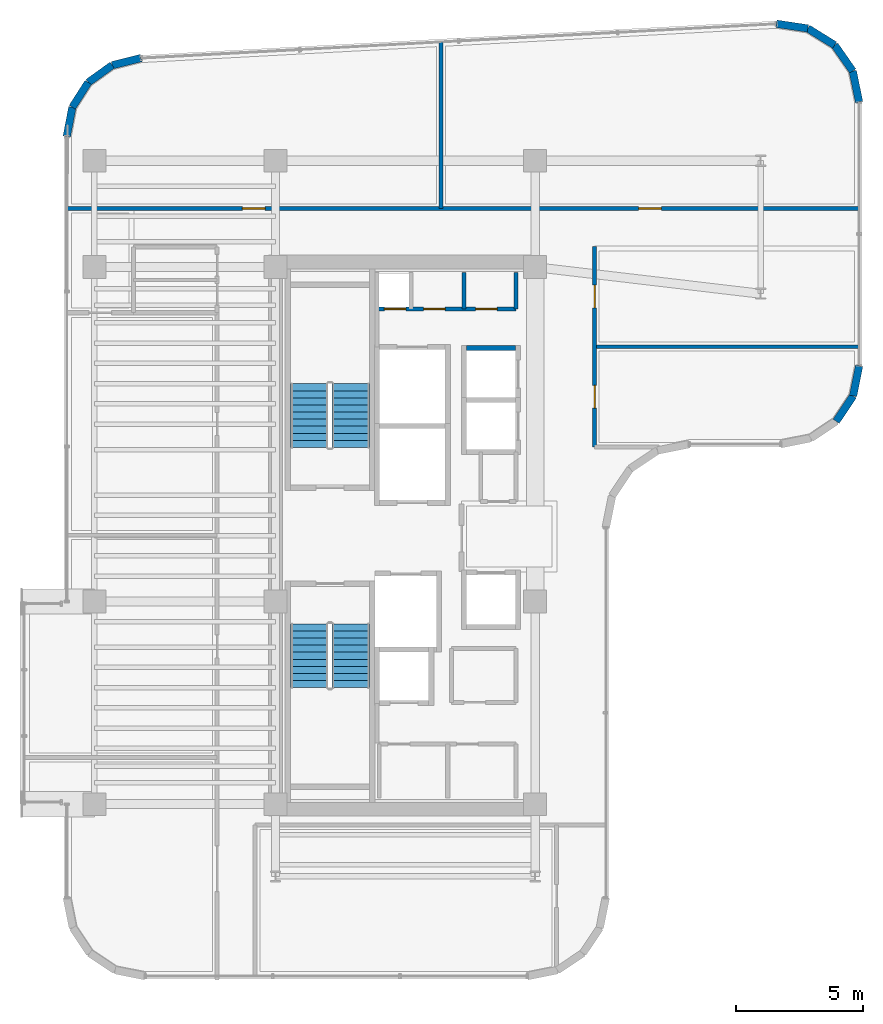
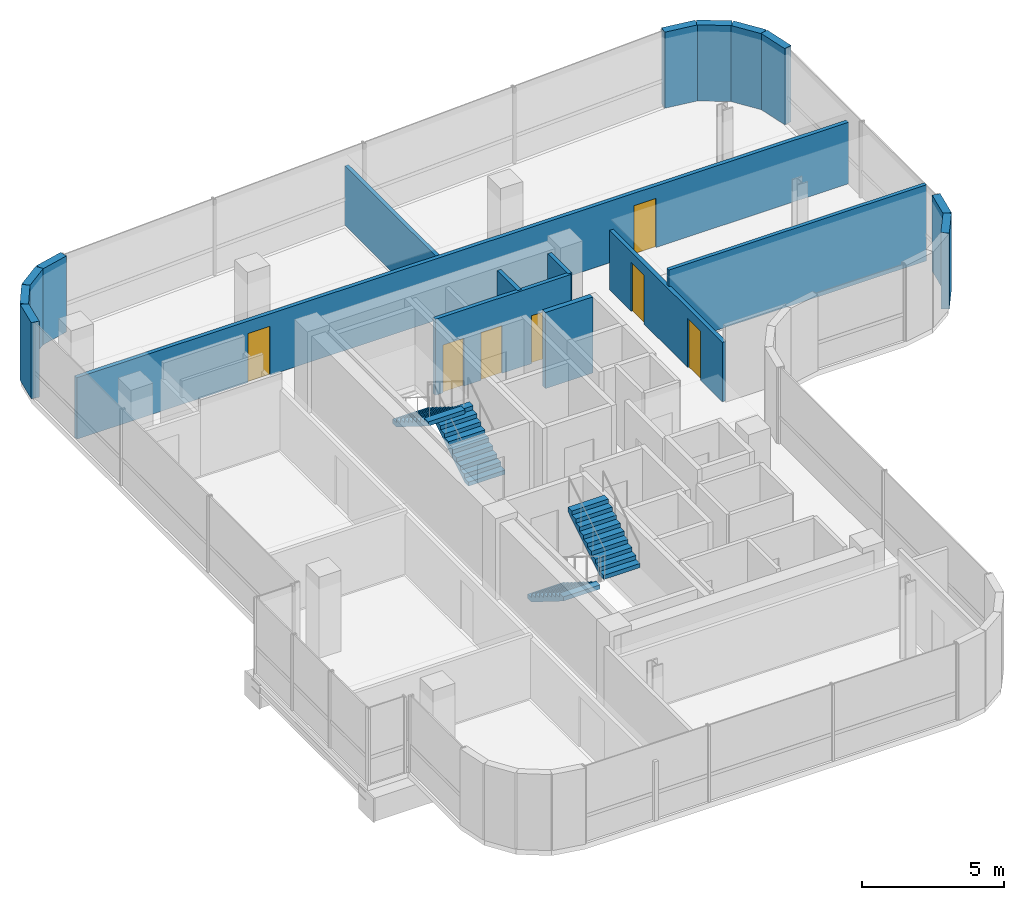
# One storey, part 20 of 22: 18 walls, 7 doors, 4 stair flights, 7 openings, 2 elements without a shape of their own.
"""IFC4 building model written with IfcOpenShell, lengths in metres."""

from ifc_helpers import new_model, si_unit, direction, frame, frame_2d, origin, place, context, subcontext, project, spatial, polyline, rectangle, outline, extrude, material, layer, layer_set, type_object, element, fill, aggregate, save


model = new_model("IFC4")

# Units and contexts
model_context = context("Model", 3, precision=1e-05, world=origin(), true_north=direction((0.0, 1.0)))
body_context = subcontext(model_context, "Body", "Model", "MODEL_VIEW")
ifc_project = project(units=[si_unit("LENGTHUNIT", "METRE"), si_unit("AREAUNIT", "SQUARE_METRE"), si_unit("VOLUMEUNIT", "CUBIC_METRE"), si_unit("PLANEANGLEUNIT", "RADIAN"), si_unit("MASSUNIT", "GRAM", prefix="KILO")], contexts=[model_context])

# Site, building, storey
site_placement = place(None, origin())
site = spatial("IfcSite", under=ifc_project, at=site_placement, CompositionType="ELEMENT")
building_placement = place(site_placement, origin())
building = spatial("IfcBuilding", under=site, at=building_placement, Name="Valdorenza Pilgrim Sanctuary Tower", CompositionType="ELEMENT")
storey_placement = place(building_placement, frame((0.0, 0.0, 237.0)))
storey = spatial("IfcBuildingStorey", under=building, at=storey_placement, Name="L61", CompositionType="ELEMENT", Elevation=237.0)

# Wall, openings, doors
ifc_material_1 = material(Name="Acoustic twin-stud gypsum partition", Category="gypsum")
ifc_layer_1 = layer(ifc_material_1, 0.159912109375, Name="Acoustic twin-stud gypsum partition")
ifc_layer_set_1 = layer_set([ifc_layer_1], Name="Acoustic twin-stud gypsum partition")
wall_type_1 = type_object("IfcWallType", Name="WAL-COR-160", PredefinedType="PARTITIONING", material=ifc_layer_set_1)
wall_1_placement = place(storey_placement, frame((-18.64990234375, 8.949951171875, 0.0), z_axis=(0.0, 0.0, 1.0), x_axis=(1.0, 0.0, 0.0)))
wall_1 = element("IfcWall", 1, at=wall_1_placement, inside=storey, type_object=wall_type_1, Name="L61 Core A North Service South Wall", PredefinedType="PARTITIONING", context=body_context, shape_type="SweptSolid", body=[
    extrude(rectangle(XDim=5.5, YDim=0.159912109375, at=frame_2d((2.75, 0.0))), origin(), (0.0, 0.0, 1.0), 3.260009765625),
])
opening_1_placement = place(wall_1_placement, frame((0.300048828125, 0.0, 0.0)))
opening_1 = element("IfcOpeningElement", 2, at=opening_1_placement, cuts=wall_1, Name="Opening DR-RS1", PredefinedType="OPENING", context=body_context, shape_type="SweptSolid", body=[
    extrude(rectangle(XDim=0.85009765625, YDim=2.050048828125, at=frame_2d((0.425048828125, 1.02490234375))), frame((0.0, 0.0947265625, 0.0), z_axis=(0.0, -1.0, 0.0), x_axis=(1.0, 0.0, 0.0)), (0.0, 0.0, 1.0), 0.189697265625),
])
opening_2_placement = place(wall_1_placement, frame((1.85009765625, 0.0, 0.0)))
opening_2 = element("IfcOpeningElement", 3, at=opening_2_placement, cuts=wall_1, Name="Opening DR-RS1", PredefinedType="OPENING", context=body_context, shape_type="SweptSolid", body=[
    extrude(rectangle(XDim=0.85009765625, YDim=2.050048828125, at=frame_2d((0.425048828125, 1.02490234375))), frame((0.0, 0.0947265625, 0.0), z_axis=(0.0, -1.0, 0.0), x_axis=(1.0, 0.0, 0.0)), (0.0, 0.0, 1.0), 0.189697265625),
])
opening_3_placement = place(wall_1_placement, frame((3.89990234375, 0.0, 0.0)))
opening_3 = element("IfcOpeningElement", 4, at=opening_3_placement, cuts=wall_1, Name="Opening DR-RS1", PredefinedType="OPENING", context=body_context, shape_type="SweptSolid", body=[
    extrude(rectangle(XDim=0.85009765625, YDim=2.050048828125, at=frame_2d((0.425048828125, 1.02490234375))), frame((0.0, 0.0947265625, 0.0), z_axis=(0.0, -1.0, 0.0), x_axis=(1.0, 0.0, 0.0)), (0.0, 0.0, 1.0), 0.189697265625),
])
ifc_material_2 = material(Name="Painted galvanized steel", Category="steel")
door_type_1 = type_object("IfcDoorType", Name="DR-RSR-850", OperationType="NOTDEFINED", PredefinedType="DOOR", material=ifc_material_2)
door_1_placement = place(opening_1_placement, origin())
door_1 = element("IfcDoor", 5, at=door_1_placement, inside=storey, type_object=door_type_1, Name="L61 Core Electrical and Telecom Riser Door", OperationType="SINGLE_SWING_LEFT", OverallHeight=2.050048828125, OverallWidth=0.85009765625, PredefinedType="DOOR", context=body_context, shape_type="SweptSolid", body=[
    extrude(rectangle(XDim=0.85009765625, YDim=2.050048828125, at=frame_2d((0.425048828125, 1.02490234375))), frame((0.0, 0.02490234375, 0.0), z_axis=(0.0, -1.0, 0.0), x_axis=(1.0, 0.0, 0.0)), (0.0, 0.0, 1.0), 0.050048828125),
])
fill(opening_1, door_1)
door_2_placement = place(opening_2_placement, origin())
door_2 = element("IfcDoor", 6, at=door_2_placement, inside=storey, type_object=door_type_1, Name="L61 Housekeeping and Clean Linen Room Door", OperationType="SINGLE_SWING_RIGHT", OverallHeight=2.050048828125, OverallWidth=0.85009765625, PredefinedType="DOOR", context=body_context, shape_type="SweptSolid", body=[
    extrude(rectangle(XDim=0.85009765625, YDim=2.050048828125, at=frame_2d((0.425048828125, 1.02490234375))), frame((0.0, 0.02490234375, 0.0), z_axis=(0.0, -1.0, 0.0), x_axis=(1.0, 0.0, 0.0)), (0.0, 0.0, 1.0), 0.050048828125),
])
fill(opening_2, door_2)
door_3_placement = place(opening_3_placement, origin())
door_3 = element("IfcDoor", 7, at=door_3_placement, inside=storey, type_object=door_type_1, Name="L61 Guest Ice and Vending Pantry Door", OperationType="SINGLE_SWING_LEFT", OverallHeight=2.050048828125, OverallWidth=0.85009765625, PredefinedType="DOOR", context=body_context, shape_type="SweptSolid", body=[
    extrude(rectangle(XDim=0.85009765625, YDim=2.050048828125, at=frame_2d((0.425048828125, 1.02490234375))), frame((0.0, 0.02490234375, 0.0), z_axis=(0.0, -1.0, 0.0), x_axis=(1.0, 0.0, 0.0)), (0.0, 0.0, 1.0), 0.050048828125),
])
fill(opening_3, door_3)

# Walls
for number, where, z_axis, x_axis, name in (
    (8, (-13.14990234375, 8.949951171875, 0.0), (0.0, 0.0, 1.0), (0.0, 1.0, 0.0), "L61 Core A North Service East Wall"),
    (9, (-15.199951171875, 8.949951171875, 0.0), (0.0, 0.0, 1.0), (0.0, 1.0, 0.0), "L61 Core A Housekeeping Split B"),
):
    element("IfcWall", number, at=place(storey_placement, frame(where, z_axis=z_axis, x_axis=x_axis)), inside=storey, type_object=wall_type_1, Name=name, PredefinedType="PARTITIONING", context=body_context, shape_type="SweptSolid", body=[
        extrude(rectangle(XDim=1.429931640625, YDim=0.159912109375, at=frame_2d((0.71484375, 0.0))), origin(), (0.0, 0.0, 1.0), 3.260009765625),
    ])

# Wall, openings, doors
wall_2_placement = place(storey_placement, frame((-30.889892578125, 12.919921875, 0.0), z_axis=(0.0, 0.0, 1.0), x_axis=(1.0, 0.0, 0.0)))
wall_2 = element("IfcWall", 10, at=wall_2_placement, inside=storey, type_object=wall_type_1, Name="L61 North Corridor Wall", PredefinedType="PARTITIONING", context=body_context, shape_type="SweptSolid", body=[
    extrude(rectangle(XDim=31.27978515625, YDim=0.159912109375, at=frame_2d((15.639892578125, 0.0))), origin(), (0.0, 0.0, 1.0), 2.634033203125),
])
opening_4_placement = place(wall_2_placement, frame((6.93505859375, 0.0, 0.0)))
opening_4 = element("IfcOpeningElement", 11, at=opening_4_placement, cuts=wall_2, Name="Opening DR-RM1", PredefinedType="OPENING", context=body_context, shape_type="SweptSolid", body=[
    extrude(rectangle(XDim=0.89990234375, YDim=2.10009765625, at=frame_2d((0.449951171875, 1.050048828125))), frame((0.0, 0.0947265625, 0.0), z_axis=(0.0, -1.0, 0.0), x_axis=(1.0, 0.0, 0.0)), (0.0, 0.0, 1.0), 0.189697265625),
])
opening_5_placement = place(wall_2_placement, frame((22.574951171875, 0.0, 0.0)))
opening_5 = element("IfcOpeningElement", 12, at=opening_5_placement, cuts=wall_2, Name="Opening DR-RM1", PredefinedType="OPENING", context=body_context, shape_type="SweptSolid", body=[
    extrude(rectangle(XDim=0.89990234375, YDim=2.10009765625, at=frame_2d((0.449951171875, 1.050048828125))), frame((0.0, 0.0947265625, 0.0), z_axis=(0.0, -1.0, 0.0), x_axis=(1.0, 0.0, 0.0)), (0.0, 0.0, 1.0), 0.189697265625),
])
ifc_material_3 = material(Name="Solid-core European oak timber", Category="wood")
door_type_2 = type_object("IfcDoorType", Name="DR-ROOM-900", OperationType="NOTDEFINED", PredefinedType="DOOR", material=ifc_material_3)
door_4_placement = place(opening_4_placement, frame((0.89990234375, 0.0, 0.0), z_axis=(0.0, 0.0, 1.0), x_axis=(-1.0, 0.0, 0.0)))
door_4 = element("IfcDoor", 13, at=door_4_placement, inside=storey, type_object=door_type_2, Name="L61 Private Banquet Dining Room L61-N1 Door", OperationType="SINGLE_SWING_LEFT", OverallHeight=2.10009765625, OverallWidth=0.89990234375, PredefinedType="DOOR", context=body_context, shape_type="SweptSolid", body=[
    extrude(rectangle(XDim=0.89990234375, YDim=2.10009765625, at=frame_2d((0.449951171875, 1.050048828125))), frame((0.0, 0.02490234375, 0.0), z_axis=(0.0, -1.0, 0.0), x_axis=(1.0, 0.0, 0.0)), (0.0, 0.0, 1.0), 0.050048828125),
])
fill(opening_4, door_4)
door_5_placement = place(opening_5_placement, origin())
door_5 = element("IfcDoor", 14, at=door_5_placement, inside=storey, type_object=door_type_2, Name="L61 Private Banquet Dining Room L61-N2 Door", OperationType="SINGLE_SWING_RIGHT", OverallHeight=2.10009765625, OverallWidth=0.89990234375, PredefinedType="DOOR", context=body_context, shape_type="SweptSolid", body=[
    extrude(rectangle(XDim=0.89990234375, YDim=2.10009765625, at=frame_2d((0.449951171875, 1.050048828125))), frame((0.0, 0.02490234375, 0.0), z_axis=(0.0, -1.0, 0.0), x_axis=(1.0, 0.0, 0.0)), (0.0, 0.0, 1.0), 0.050048828125),
])
fill(opening_5, door_5)

wall_3_placement = place(storey_placement, frame((-10.050048828125, 3.5, 0.0), z_axis=(0.0, 0.0, 1.0), x_axis=(0.0, 1.0, 0.0)))
wall_3 = element("IfcWall", 15, at=wall_3_placement, inside=storey, type_object=wall_type_1, Name="L61 East Stub Corridor Wall", PredefinedType="PARTITIONING", context=body_context, shape_type="SweptSolid", body=[
    extrude(rectangle(XDim=7.919921875, YDim=0.159912109375, at=frame_2d((3.9599609375, 0.0))), origin(), (0.0, 0.0, 1.0), 2.5439453125),
])
opening_6_placement = place(wall_3_placement, frame((1.530029296875, 0.0, 0.0)))
opening_6 = element("IfcOpeningElement", 16, at=opening_6_placement, cuts=wall_3, Name="Opening DR-RM1", PredefinedType="OPENING", context=body_context, shape_type="SweptSolid", body=[
    extrude(rectangle(XDim=0.89990234375, YDim=2.10009765625, at=frame_2d((0.449951171875, 1.050048828125))), frame((0.0, 0.0947265625, 0.0), z_axis=(0.0, -1.0, 0.0), x_axis=(1.0, 0.0, 0.0)), (0.0, 0.0, 1.0), 0.189697265625),
])
opening_7_placement = place(wall_3_placement, frame((5.489990234375, 0.0, 0.0)))
opening_7 = element("IfcOpeningElement", 17, at=opening_7_placement, cuts=wall_3, Name="Opening DR-RM1", PredefinedType="OPENING", context=body_context, shape_type="SweptSolid", body=[
    extrude(rectangle(XDim=0.89990234375, YDim=2.10009765625, at=frame_2d((0.449951171875, 1.050048828125))), frame((0.0, 0.0947265625, 0.0), z_axis=(0.0, -1.0, 0.0), x_axis=(1.0, 0.0, 0.0)), (0.0, 0.0, 1.0), 0.189697265625),
])
door_6_placement = place(opening_6_placement, frame((0.89990234375, 0.0, 0.0), z_axis=(0.0, 0.0, 1.0), x_axis=(-1.0, 0.0, 0.0)))
door_6 = element("IfcDoor", 18, at=door_6_placement, inside=storey, type_object=door_type_2, Name="L61 Sacred Art Exhibition Gallery L61-E1 Door", OperationType="SINGLE_SWING_LEFT", OverallHeight=2.10009765625, OverallWidth=0.89990234375, PredefinedType="DOOR", context=body_context, shape_type="SweptSolid", body=[
    extrude(rectangle(XDim=0.89990234375, YDim=2.10009765625, at=frame_2d((0.449951171875, 1.050048828125))), frame((0.0, 0.02490234375, 0.0), z_axis=(0.0, -1.0, 0.0), x_axis=(1.0, 0.0, 0.0)), (0.0, 0.0, 1.0), 0.050048828125),
])
fill(opening_6, door_6)
door_7_placement = place(opening_7_placement, origin())
door_7 = element("IfcDoor", 19, at=door_7_placement, inside=storey, type_object=door_type_2, Name="L61 Sacred Art Exhibition Gallery L61-E2 Door", OperationType="SINGLE_SWING_RIGHT", OverallHeight=2.10009765625, OverallWidth=0.89990234375, PredefinedType="DOOR", context=body_context, shape_type="SweptSolid", body=[
    extrude(rectangle(XDim=0.89990234375, YDim=2.10009765625, at=frame_2d((0.449951171875, 1.050048828125))), frame((0.0, 0.02490234375, 0.0), z_axis=(0.0, -1.0, 0.0), x_axis=(1.0, 0.0, 0.0)), (0.0, 0.0, 1.0), 0.050048828125),
])
fill(opening_7, door_7)

# Walls
ifc_material_4 = material(Name="Honed travertine limestone", Category="masonry")
ifc_layer_2 = layer(ifc_material_4, 0.300048828125, Name="Honed travertine limestone")
ifc_layer_set_2 = layer_set([ifc_layer_2], Name="Honed travertine limestone")
wall_type_2 = type_object("IfcWallType", Name="WAL-EXT-300", PredefinedType="SOLIDWALL", material=ifc_layer_set_2)
wall_4_placement = place(storey_placement, frame((-30.889892578125, 15.757568359375, 0.0), z_axis=(0.0, 0.0, 1.0), x_axis=(0.18831542659, 0.982108598938, 0.0)))
element("IfcWall", 20, at=wall_4_placement, inside=storey, type_object=wall_type_2, Name="L61 Rounded Wind-Corner Stone Pier 2", PredefinedType="SOLIDWALL", context=body_context, shape_type="SweptSolid", body=[
    extrude(rectangle(XDim=1.174560546875, YDim=0.300048828125, at=frame_2d((0.58740234375, 0.0))), origin(), (0.0, 0.0, 1.0), 3.260009765625),
])
wall_5_placement = place(storey_placement, frame((-30.668701171875, 16.9111328125, 0.0), z_axis=(0.0, 0.0, 1.0), x_axis=(0.538678781902, 0.84251122837, 0.0)))
element("IfcWall", 21, at=wall_5_placement, inside=storey, type_object=wall_type_2, Name="L61 Rounded Wind-Corner Stone Pier 3", PredefinedType="SOLIDWALL", context=body_context, shape_type="SweptSolid", body=[
    extrude(rectangle(XDim=1.164306640625, YDim=0.300048828125, at=frame_2d((0.58203125, 0.0))), origin(), (0.0, 0.0, 1.0), 3.260009765625),
])
wall_6_placement = place(storey_placement, frame((-30.04150390625, 17.89208984375, 0.0), z_axis=(0.0, 0.0, 1.0), x_axis=(0.812313539683, 0.583220981487, 0.0)))
element("IfcWall", 22, at=wall_6_placement, inside=storey, type_object=wall_type_2, Name="L61 Rounded Wind-Corner Stone Pier 4", PredefinedType="SOLIDWALL", context=body_context, shape_type="SweptSolid", body=[
    extrude(rectangle(XDim=1.163818359375, YDim=0.300048828125, at=frame_2d((0.58203125, 0.0))), origin(), (0.0, 0.0, 1.0), 3.260009765625),
])
wall_7_placement = place(storey_placement, frame((-29.09619140625, 18.57080078125, 0.0), z_axis=(0.0, 0.0, 1.0), x_axis=(0.97050812798, 0.241068400098, 0.0)))
element("IfcWall", 23, at=wall_7_placement, inside=storey, type_object=wall_type_2, Name="L61 Rounded Wind-Corner Stone Pier 5", PredefinedType="SOLIDWALL", context=body_context, shape_type="SweptSolid", body=[
    extrude(rectangle(XDim=1.1748046875, YDim=0.300048828125, at=frame_2d((0.58740234375, 0.0))), origin(), (0.0, 0.0, 1.0), 3.260009765625),
])
wall_8_placement = place(storey_placement, frame((-2.877685546875, 20.20751953125, 0.0), z_axis=(0.0, 0.0, 1.0), x_axis=(0.988902138571, -0.148568369208, 0.0)))
element("IfcWall", 24, at=wall_8_placement, inside=storey, type_object=wall_type_2, Name="L61 Rounded Wind-Corner Stone Pier 7", PredefinedType="SOLIDWALL", context=body_context, shape_type="SweptSolid", body=[
    extrude(rectangle(XDim=1.257080078125, YDim=0.300048828125, at=frame_2d((0.62841796875, 0.0))), origin(), (0.0, 0.0, 1.0), 3.260009765625),
])
wall_9_placement = place(storey_placement, frame((-1.634521484375, 20.020751953125, 0.0), z_axis=(0.0, 0.0, 1.0), x_axis=(0.849646224094, -0.52735310171, 0.0)))
element("IfcWall", 25, at=wall_9_placement, inside=storey, type_object=wall_type_2, Name="L61 Rounded Wind-Corner Stone Pier 8", PredefinedType="SOLIDWALL", context=body_context, shape_type="SweptSolid", body=[
    extrude(rectangle(XDim=1.245361328125, YDim=0.300048828125, at=frame_2d((0.62255859375, 0.0))), origin(), (0.0, 0.0, 1.0), 3.260009765625),
])
wall_10_placement = place(storey_placement, frame((-0.576416015625, 19.364013671875, 0.0), z_axis=(0.0, 0.0, 1.0), x_axis=(0.572304219931, -0.820041389107, 0.0)))
element("IfcWall", 26, at=wall_10_placement, inside=storey, type_object=wall_type_2, Name="L61 Rounded Wind-Corner Stone Pier 9", PredefinedType="SOLIDWALL", context=body_context, shape_type="SweptSolid", body=[
    extrude(rectangle(XDim=1.24560546875, YDim=0.300048828125, at=frame_2d((0.622802734375, 0.0))), origin(), (0.0, 0.0, 1.0), 3.260009765625),
])
wall_11_placement = place(storey_placement, frame((0.136474609375, 18.342529296875, 0.0), z_axis=(0.0, 0.0, 1.0), x_axis=(0.201603599025, -0.979467196419, 0.0)))
element("IfcWall", 27, at=wall_11_placement, inside=storey, type_object=wall_type_2, Name="L61 Rounded Wind-Corner Stone Pier 10", PredefinedType="SOLIDWALL", context=body_context, shape_type="SweptSolid", body=[
    extrude(rectangle(XDim=1.257080078125, YDim=0.300048828125, at=frame_2d((0.62841796875, 0.0))), origin(), (0.0, 0.0, 1.0), 3.260009765625),
])
wall_12_placement = place(storey_placement, frame((0.389892578125, 6.710693359375, 0.0), z_axis=(0.0, 0.0, 1.0), x_axis=(-0.194996050505, -0.980804027463, 0.0)))
element("IfcWall", 28, at=wall_12_placement, inside=storey, type_object=wall_type_2, Name="L61 Rounded Wind-Corner Stone Pier 12", PredefinedType="SOLIDWALL", context=body_context, shape_type="SweptSolid", body=[
    extrude(rectangle(XDim=1.2158203125, YDim=0.300048828125, at=frame_2d((0.60791015625, 0.0))), origin(), (0.0, 0.0, 1.0), 3.260009765625),
])
wall_13_placement = place(storey_placement, frame((0.15283203125, 5.518310546875, 0.0), z_axis=(0.0, 0.0, 1.0), x_axis=(-0.555635100982, -0.831426265255, 0.0)))
element("IfcWall", 29, at=wall_13_placement, inside=storey, type_object=wall_type_2, Name="L61 Rounded Wind-Corner Stone Pier 13", PredefinedType="SOLIDWALL", context=body_context, shape_type="SweptSolid", body=[
    extrude(rectangle(XDim=1.204833984375, YDim=0.300048828125, at=frame_2d((0.6025390625, 0.0))), origin(), (0.0, 0.0, 1.0), 3.260009765625),
])
ifc_material_5 = material(Name="Autoclaved aerated concrete blockwork", Category="masonry")
ifc_layer_3 = layer(ifc_material_5, 0.199951171875, Name="Autoclaved aerated concrete blockwork")
ifc_layer_set_3 = layer_set([ifc_layer_3], Name="Autoclaved aerated concrete blockwork")
wall_type_3 = type_object("IfcWallType", Name="WAL-SHF-200", PredefinedType="MOVABLE", material=ifc_layer_set_3)
wall_14_placement = place(storey_placement, frame((-15.10009765625, 7.39990234375, 0.0), z_axis=(0.0, 0.0, 1.0), x_axis=(1.0, 0.0, 0.0)))
element("IfcWall", 30, at=wall_14_placement, inside=storey, type_object=wall_type_3, Name="L61 Lift PL-10 Hoistway Wall North", PredefinedType="MOVABLE", context=body_context, shape_type="SweptSolid", body=[
    extrude(rectangle(XDim=1.920166015625, YDim=0.199951171875, at=frame_2d((0.9599609375, 0.0))), origin(), (0.0, 0.0, 1.0), 3.260009765625),
])
ifc_layer_4 = layer(ifc_material_1, 0.14990234375, Name="Acoustic twin-stud gypsum partition")
ifc_layer_set_4 = layer_set([ifc_layer_4], Name="Acoustic twin-stud gypsum partition")
wall_type_4 = type_object("IfcWallType", Name="WAL-UNT-150", PredefinedType="PARTITIONING", material=ifc_layer_set_4)
wall_15_placement = place(storey_placement, frame((-16.1201171875, 12.919921875, 0.0), z_axis=(0.0, 0.0, 1.0), x_axis=(0.0, 1.0, 0.0)))
element("IfcWall", 31, at=wall_15_placement, inside=storey, type_object=wall_type_4, Name="L61 Private Banquet Dining Room L61-N2 Demising Wall", PredefinedType="PARTITIONING", context=body_context, shape_type="SweptSolid", body=[
    extrude(rectangle(XDim=6.572998046875, YDim=0.14990234375, at=frame_2d((3.28662109375, 0.0))), origin(), (0.0, 0.0, 1.0), 2.5439453125),
])
wall_16_placement = place(storey_placement, frame((-10.050048828125, 7.4599609375, 0.0), z_axis=(0.0, 0.0, 1.0), x_axis=(1.0, 0.0, 0.0)))
element("IfcWall", 32, at=wall_16_placement, inside=storey, type_object=wall_type_4, Name="L61 Sacred Art Exhibition Gallery L61-E2 Demising Wall", PredefinedType="PARTITIONING", context=body_context, shape_type="SweptSolid", body=[
    extrude(rectangle(XDim=10.43994140625, YDim=0.14990234375, at=frame_2d((5.219970703125, 0.0))), origin(), (0.0, 0.0, 1.0), 3.260009765625),
])

# Stair, stair flights
ifc_material_6 = material(Name="Concrete C40/50", Category="concrete")
stair_type = type_object("IfcStairType", Name="STR-DOG-CORE", PredefinedType="HALF_TURN_STAIR", material=ifc_material_6)
stair_1_placement = place(storey_placement, origin())
stair_1 = element("IfcStair", 33, at=stair_1_placement, inside=storey, type_object=stair_type, Name="L61 ST-A1", PredefinedType="HALF_TURN_STAIR")
stair_flight_type = type_object("IfcStairFlightType", Name="STF-RC-1400", PredefinedType="STRAIGHT", material=ifc_material_6)
stair_flight_1_placement = place(storey_placement, frame((-19.679931640625, 3.47998046875, 0.0), z_axis=(0.0, 0.0, 1.0), x_axis=(0.0, 1.0, 0.0)))
stair_flight_1 = element("IfcStairFlight", 34, at=stair_flight_1_placement, type_object=stair_flight_type, Name="ST-A1 flight 1", NumberOfRisers=10, NumberOfTreads=9, PredefinedType="STRAIGHT", RiserHeight=0.175, TreadLength=0.28, context=body_context, shape_type="SweptSolid", body=[
    extrude(outline(polyline([(0.0, 0.0), (0.0, 0.175048828125), (0.280029296875, 0.175048828125), (0.280029296875, 0.35009765625), (0.56005859375, 0.35009765625), (0.56005859375, 0.52490234375), (0.840087890625, 0.52490234375), (0.840087890625, 0.699951171875), (1.1201171875, 0.699951171875), (1.1201171875, 0.875), (1.39990234375, 0.875), (1.39990234375, 1.050048828125), (1.679931640625, 1.050048828125), (1.679931640625, 1.22509765625), (1.9599609375, 1.22509765625), (1.9599609375, 1.39990234375), (2.239990234375, 1.39990234375), (2.239990234375, 1.574951171875), (2.52001953125, 1.574951171875), (2.52001953125, 1.75), (2.52001953125, 1.398193359375), (0.28271484375, 0.0), (0.0, 0.0)])), frame((0.0, 0.739990234375, 0.0), z_axis=(0.0, -1.0, 0.0), x_axis=(1.0, 0.0, 0.0)), (0.0, 0.0, 1.0), 1.47998046875),
])
stair_flight_2_placement = place(storey_placement, frame((-21.31005859375, 6.0, 1.75), z_axis=(0.0, 0.0, 1.0), x_axis=(0.0, -1.0, 0.0)))
stair_flight_2 = element("IfcStairFlight", 35, at=stair_flight_2_placement, type_object=stair_flight_type, Name="ST-A1 flight 2", NumberOfRisers=10, NumberOfTreads=9, PredefinedType="STRAIGHT", RiserHeight=0.175, TreadLength=0.28, context=body_context, shape_type="SweptSolid", body=[
    extrude(outline(polyline([(0.0, 0.0), (0.0, 0.175048828125), (0.280029296875, 0.175048828125), (0.280029296875, 0.35009765625), (0.56005859375, 0.35009765625), (0.56005859375, 0.52490234375), (0.840087890625, 0.52490234375), (0.840087890625, 0.699951171875), (1.1201171875, 0.699951171875), (1.1201171875, 0.875), (1.39990234375, 0.875), (1.39990234375, 1.050048828125), (1.679931640625, 1.050048828125), (1.679931640625, 1.22509765625), (1.9599609375, 1.22509765625), (1.9599609375, 1.39990234375), (2.239990234375, 1.39990234375), (2.239990234375, 1.574951171875), (2.52001953125, 1.574951171875), (2.52001953125, 1.75), (2.52001953125, 1.398193359375), (0.28271484375, 0.0), (0.0, 0.0)])), frame((0.0, 0.739990234375, 0.0), z_axis=(0.0, -1.0, 0.0), x_axis=(1.0, 0.0, 0.0)), (0.0, 0.0, 1.0), 1.47998046875),
])
aggregate(stair_1, [stair_flight_1, stair_flight_2])

stair_2_placement = place(storey_placement, origin())
stair_2 = element("IfcStair", 36, at=stair_2_placement, inside=storey, type_object=stair_type, Name="L61 ST-A2", PredefinedType="HALF_TURN_STAIR")
stair_flight_3_placement = place(storey_placement, frame((-21.31005859375, -3.47998046875, 0.0), z_axis=(0.0, 0.0, 1.0), x_axis=(0.0, -1.0, 0.0)))
stair_flight_3 = element("IfcStairFlight", 37, at=stair_flight_3_placement, type_object=stair_flight_type, Name="ST-A2 flight 1", NumberOfRisers=10, NumberOfTreads=9, PredefinedType="STRAIGHT", RiserHeight=0.175, TreadLength=0.28, context=body_context, shape_type="SweptSolid", body=[
    extrude(outline(polyline([(0.0, 0.0), (0.0, 0.175048828125), (0.280029296875, 0.175048828125), (0.280029296875, 0.35009765625), (0.56005859375, 0.35009765625), (0.56005859375, 0.52490234375), (0.840087890625, 0.52490234375), (0.840087890625, 0.699951171875), (1.1201171875, 0.699951171875), (1.1201171875, 0.875), (1.39990234375, 0.875), (1.39990234375, 1.050048828125), (1.679931640625, 1.050048828125), (1.679931640625, 1.22509765625), (1.9599609375, 1.22509765625), (1.9599609375, 1.39990234375), (2.239990234375, 1.39990234375), (2.239990234375, 1.574951171875), (2.52001953125, 1.574951171875), (2.52001953125, 1.75), (2.52001953125, 1.398193359375), (0.28271484375, 0.0), (0.0, 0.0)])), frame((0.0, 0.739990234375, 0.0), z_axis=(0.0, -1.0, 0.0), x_axis=(1.0, 0.0, 0.0)), (0.0, 0.0, 1.0), 1.47998046875),
])
stair_flight_4_placement = place(storey_placement, frame((-19.679931640625, -6.0, 1.75), z_axis=(0.0, 0.0, 1.0), x_axis=(0.0, 1.0, 0.0)))
stair_flight_4 = element("IfcStairFlight", 38, at=stair_flight_4_placement, type_object=stair_flight_type, Name="ST-A2 flight 2", NumberOfRisers=10, NumberOfTreads=9, PredefinedType="STRAIGHT", RiserHeight=0.175, TreadLength=0.28, context=body_context, shape_type="SweptSolid", body=[
    extrude(outline(polyline([(0.0, 0.0), (0.0, 0.175048828125), (0.280029296875, 0.175048828125), (0.280029296875, 0.35009765625), (0.56005859375, 0.35009765625), (0.56005859375, 0.52490234375), (0.840087890625, 0.52490234375), (0.840087890625, 0.699951171875), (1.1201171875, 0.699951171875), (1.1201171875, 0.875), (1.39990234375, 0.875), (1.39990234375, 1.050048828125), (1.679931640625, 1.050048828125), (1.679931640625, 1.22509765625), (1.9599609375, 1.22509765625), (1.9599609375, 1.39990234375), (2.239990234375, 1.39990234375), (2.239990234375, 1.574951171875), (2.52001953125, 1.574951171875), (2.52001953125, 1.75), (2.52001953125, 1.398193359375), (0.28271484375, 0.0), (0.0, 0.0)])), frame((0.0, 0.739990234375, 0.0), z_axis=(0.0, -1.0, 0.0), x_axis=(1.0, 0.0, 0.0)), (0.0, 0.0, 1.0), 1.47998046875),
])
aggregate(stair_2, [stair_flight_3, stair_flight_4])

save(model, "model.ifc")
